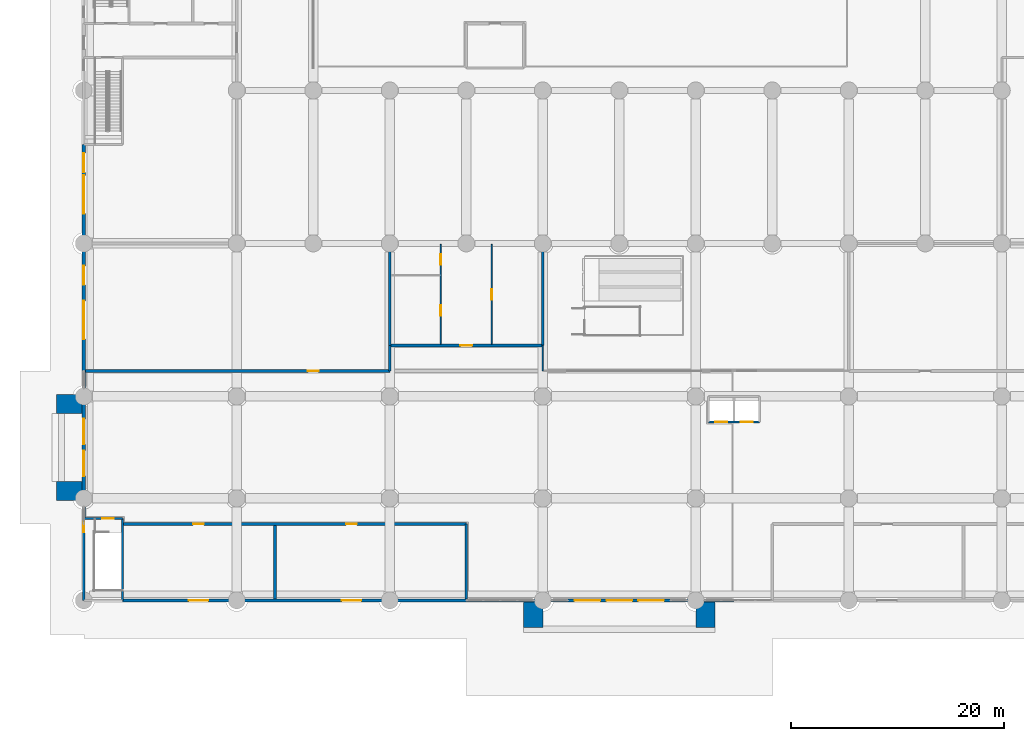
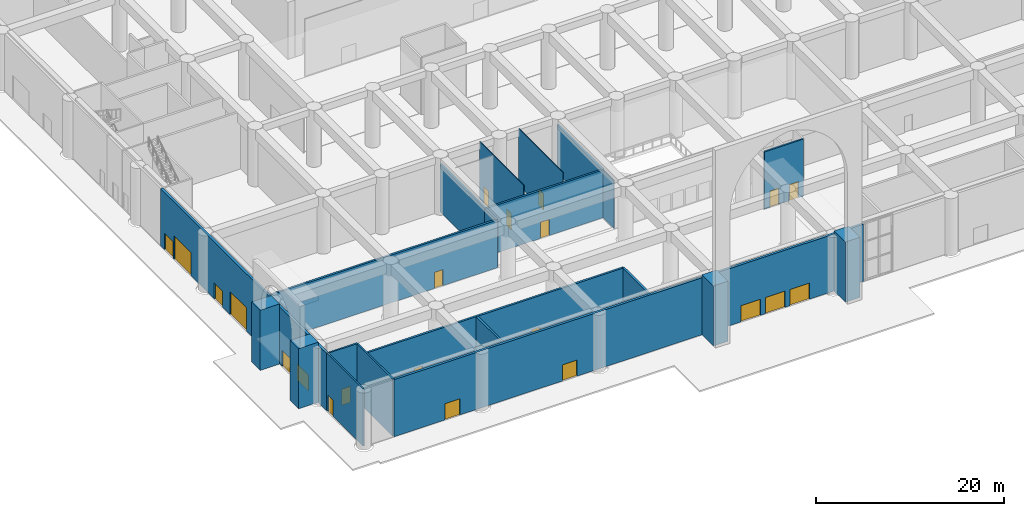
# One storey, part 13 of 32: 22 doors, 21 walls, 22 openings.
"""IFC4 building model written with IfcOpenShell, lengths in metres."""

from ifc_helpers import new_model, si_unit, direction, frame, frame_2d, origin, place, context, subcontext, project, spatial, rectangle, extrude, material, layer, layer_set, type_object, element, fill, save


model = new_model("IFC4")

# Units and contexts
model_context = context("Model", 3, precision=1e-05, world=origin(), true_north=direction((0.0, 1.0)))
body_context = subcontext(model_context, "Body", "Model", "MODEL_VIEW")
ifc_project = project(units=[si_unit("LENGTHUNIT", "METRE"), si_unit("AREAUNIT", "SQUARE_METRE"), si_unit("VOLUMEUNIT", "CUBIC_METRE"), si_unit("PLANEANGLEUNIT", "RADIAN"), si_unit("MASSUNIT", "GRAM", prefix="KILO")], contexts=[model_context])

# Site, building, storey
site_placement = place(None, origin())
site = spatial("IfcSite", under=ifc_project, at=site_placement, CompositionType="ELEMENT")
building_placement = place(site_placement, origin())
building = spatial("IfcBuilding", under=site, at=building_placement, Name="Saffron Iwan Residences", CompositionType="ELEMENT")
storey_placement = place(building_placement, origin())
storey = spatial("IfcBuildingStorey", under=building, at=storey_placement, Name="L00", CompositionType="ELEMENT", Elevation=0.0)

# Wall, openings, doors
ifc_material_1 = material(Name="Concrete C40/50", Category="concrete")
ifc_layer_1 = layer(ifc_material_1, 0.25)
ifc_layer_set_1 = layer_set([ifc_layer_1], Name="Concrete C40/50")
wall_type_1 = type_object("IfcWallType", Name="Fire compartment wall 250", PredefinedType="SOLIDWALL", material=ifc_layer_set_1)
wall_1_placement = place(storey_placement, frame((3.75, 7.199951171875, 0.0), z_axis=(0.0, 0.0, 1.0), x_axis=(1.0, 0.0, 0.0)))
wall_1 = element("IfcWall", 1, at=wall_1_placement, inside=storey, type_object=wall_type_1, Name="W-L00-005", PredefinedType="SOLIDWALL", context=body_context, shape_type="SweptSolid", body=[
    extrude(rectangle(XDim=32.25, YDim=0.25, at=frame_2d((16.125, 0.0))), origin(), (0.0, 0.0, 1.0), 6.199951171875),
])
opening_1_placement = place(wall_1_placement, frame((6.550048828125, 0.0, 0.0)))
opening_1 = element("IfcOpeningElement", 2, at=opening_1_placement, cuts=wall_1, Name="Opening L00.07", PredefinedType="OPENING", context=body_context, shape_type="SweptSolid", body=[
    extrude(rectangle(XDim=1.0, YDim=2.10009765625, at=frame_2d((0.5, 1.050048828125))), frame((0.0, 0.135009765625, 0.0), z_axis=(0.0, -1.0, 0.0), x_axis=(1.0, 0.0, 0.0)), (0.0, 0.0, 1.0), 0.27001953125),
])
opening_2_placement = place(wall_1_placement, frame((20.949951171875, 0.0, 0.0)))
opening_2 = element("IfcOpeningElement", 3, at=opening_2_placement, cuts=wall_1, Name="Opening L00.08", PredefinedType="OPENING", context=body_context, shape_type="SweptSolid", body=[
    extrude(rectangle(XDim=1.0, YDim=2.10009765625, at=frame_2d((0.5, 1.050048828125))), frame((0.0, 0.135009765625, 0.0), z_axis=(0.0, -1.0, 0.0), x_axis=(1.0, 0.0, 0.0)), (0.0, 0.0, 1.0), 0.27001953125),
])
ifc_material_2 = material(Name="Steel", Category="steel")
door_type_1 = type_object("IfcDoorType", Name="Fire door 1000x2100", OperationType="NOTDEFINED", PredefinedType="DOOR", material=ifc_material_2)
door_1_placement = place(opening_1_placement, origin())
door_1 = element("IfcDoor", 4, at=door_1_placement, inside=storey, type_object=door_type_1, Name="D-L00-007", OperationType="SINGLE_SWING_LEFT", OverallHeight=2.10009765625, OverallWidth=1.0, PredefinedType="DOOR", context=body_context, shape_type="SweptSolid", body=[
    extrude(rectangle(XDim=1.0, YDim=2.10009765625, at=frame_2d((0.5, 1.050048828125))), frame((0.0, 0.02490234375, 0.0), z_axis=(0.0, -1.0, 0.0), x_axis=(1.0, 0.0, 0.0)), (0.0, 0.0, 1.0), 0.050048828125),
])
fill(opening_1, door_1)
door_2_placement = place(opening_2_placement, origin())
door_2 = element("IfcDoor", 5, at=door_2_placement, inside=storey, type_object=door_type_1, Name="D-L00-008", OperationType="SINGLE_SWING_RIGHT", OverallHeight=2.10009765625, OverallWidth=1.0, PredefinedType="DOOR", context=body_context, shape_type="SweptSolid", body=[
    extrude(rectangle(XDim=1.0, YDim=2.10009765625, at=frame_2d((0.5, 1.050048828125))), frame((0.0, 0.02490234375, 0.0), z_axis=(0.0, -1.0, 0.0), x_axis=(1.0, 0.0, 0.0)), (0.0, 0.0, 1.0), 0.050048828125),
])
fill(opening_2, door_2)

# Wall, opening, door
wall_2_placement = place(storey_placement, frame((0.14990234375, 21.60009765625, 0.0), z_axis=(0.0, 0.0, 1.0), x_axis=(1.0, 0.0, 0.0)))
wall_2 = element("IfcWall", 6, at=wall_2_placement, inside=storey, type_object=wall_type_1, Name="W-L00-012", PredefinedType="SOLIDWALL", context=body_context, shape_type="SweptSolid", body=[
    extrude(rectangle(XDim=28.650146484375, YDim=0.25, at=frame_2d((14.3251953125, 0.0))), origin(), (0.0, 0.0, 1.0), 6.199951171875),
])
opening_3_placement = place(wall_2_placement, frame((20.949951171875, 0.0, 0.0)))
opening_3 = element("IfcOpeningElement", 7, at=opening_3_placement, cuts=wall_2, Name="Opening L00.11", PredefinedType="OPENING", context=body_context, shape_type="SweptSolid", body=[
    extrude(rectangle(XDim=1.0, YDim=2.10009765625, at=frame_2d((0.5, 1.050048828125))), frame((0.0, 0.135009765625, 0.0), z_axis=(0.0, -1.0, 0.0), x_axis=(1.0, 0.0, 0.0)), (0.0, 0.0, 1.0), 0.27001953125),
])
door_3_placement = place(opening_3_placement, origin())
door_3 = element("IfcDoor", 8, at=door_3_placement, inside=storey, type_object=door_type_1, Name="D-L00-011", OperationType="SINGLE_SWING_RIGHT", OverallHeight=2.10009765625, OverallWidth=1.0, PredefinedType="DOOR", context=body_context, shape_type="SweptSolid", body=[
    extrude(rectangle(XDim=1.0, YDim=2.10009765625, at=frame_2d((0.5, 1.050048828125))), frame((0.0, 0.02490234375, 0.0), z_axis=(0.0, -1.0, 0.0), x_axis=(1.0, 0.0, 0.0)), (0.0, 0.0, 1.0), 0.050048828125),
])
fill(opening_3, door_3)

wall_3_placement = place(storey_placement, frame((28.800048828125, 24.0, 0.0), z_axis=(0.0, 0.0, 1.0), x_axis=(1.0, 0.0, 0.0)))
wall_3 = element("IfcWall", 9, at=wall_3_placement, inside=storey, type_object=wall_type_1, Name="W-L00-014", PredefinedType="SOLIDWALL", context=body_context, shape_type="SweptSolid", body=[
    extrude(rectangle(XDim=14.39990234375, YDim=0.25, at=frame_2d((7.199951171875, 0.0))), origin(), (0.0, 0.0, 1.0), 6.199951171875),
])
opening_4_placement = place(wall_3_placement, frame((6.64990234375, 0.0, 0.0)))
opening_4 = element("IfcOpeningElement", 10, at=opening_4_placement, cuts=wall_3, Name="Opening L00.06", PredefinedType="OPENING", context=body_context, shape_type="SweptSolid", body=[
    extrude(rectangle(XDim=1.10009765625, YDim=2.10009765625, at=frame_2d((0.550048828125, 1.050048828125))), frame((0.0, 0.135009765625, 0.0), z_axis=(0.0, -1.0, 0.0), x_axis=(1.0, 0.0, 0.0)), (0.0, 0.0, 1.0), 0.27001953125),
])
door_type_2 = type_object("IfcDoorType", Name="Fire door 1100x2100", OperationType="NOTDEFINED", PredefinedType="DOOR", material=ifc_material_2)
door_4_placement = place(opening_4_placement, origin())
door_4 = element("IfcDoor", 11, at=door_4_placement, inside=storey, type_object=door_type_2, Name="D-L00-006", OperationType="SINGLE_SWING_LEFT", OverallHeight=2.10009765625, OverallWidth=1.10009765625, PredefinedType="DOOR", context=body_context, shape_type="SweptSolid", body=[
    extrude(rectangle(XDim=1.10009765625, YDim=2.10009765625, at=frame_2d((0.550048828125, 1.050048828125))), frame((0.0, 0.02490234375, 0.0), z_axis=(0.0, -1.0, 0.0), x_axis=(1.0, 0.0, 0.0)), (0.0, 0.0, 1.0), 0.050048828125),
])
fill(opening_4, door_4)

# Walls
wall_4_placement = place(storey_placement, frame((18.0, 0.14990234375, 0.0), z_axis=(0.0, 0.0, 1.0), x_axis=(0.0, 1.0, 0.0)))
element("IfcWall", 12, at=wall_4_placement, inside=storey, type_object=wall_type_1, Name="W-L00-058", PredefinedType="SOLIDWALL", context=body_context, shape_type="SweptSolid", body=[
    extrude(rectangle(XDim=6.925048828125, YDim=0.25, at=frame_2d((3.46240234375, 0.0))), origin(), (0.0, 0.0, 1.0), 6.199951171875),
])
wall_5_placement = place(storey_placement, frame((28.800048828125, 24.0, 0.0), z_axis=(0.0, 0.0, 1.0), x_axis=(0.0, 1.0, 0.0)))
element("IfcWall", 13, at=wall_5_placement, inside=storey, type_object=wall_type_1, Name="W-L00-060", PredefinedType="SOLIDWALL", context=body_context, shape_type="SweptSolid", body=[
    extrude(rectangle(XDim=9.5048828125, YDim=0.25, at=frame_2d((4.75244140625, 0.0))), origin(), (0.0, 0.0, 1.0), 6.199951171875),
])
wall_6_placement = place(storey_placement, frame((28.800048828125, 21.60009765625, 0.0), z_axis=(0.0, 0.0, 1.0), x_axis=(0.0, 1.0, 0.0)))
element("IfcWall", 14, at=wall_6_placement, inside=storey, type_object=wall_type_1, Name="W-L00-061", PredefinedType="SOLIDWALL", context=body_context, shape_type="SweptSolid", body=[
    extrude(rectangle(XDim=2.39990234375, YDim=0.25, at=frame_2d((1.199951171875, 0.0))), origin(), (0.0, 0.0, 1.0), 6.199951171875),
])
wall_7_placement = place(storey_placement, frame((36.0, 0.14990234375, 0.0), z_axis=(0.0, 0.0, 1.0), x_axis=(0.0, 1.0, 0.0)))
element("IfcWall", 15, at=wall_7_placement, inside=storey, type_object=wall_type_1, Name="W-L00-064", PredefinedType="SOLIDWALL", context=body_context, shape_type="SweptSolid", body=[
    extrude(rectangle(XDim=7.050048828125, YDim=0.25, at=frame_2d((3.52490234375, 0.0))), origin(), (0.0, 0.0, 1.0), 6.199951171875),
])
wall_8_placement = place(storey_placement, frame((43.199951171875, 24.0, 0.0), z_axis=(0.0, 0.0, 1.0), x_axis=(0.0, 1.0, 0.0)))
element("IfcWall", 16, at=wall_8_placement, inside=storey, type_object=wall_type_1, Name="W-L00-068", PredefinedType="SOLIDWALL", context=body_context, shape_type="SweptSolid", body=[
    extrude(rectangle(XDim=9.60009765625, YDim=0.25, at=frame_2d((4.800048828125, 0.0))), origin(), (0.0, 0.0, 1.0), 6.199951171875),
])

# Wall, openings, doors
ifc_material_3 = material(Name="Plasterboard")
ifc_layer_2 = layer(ifc_material_3, 0.10009765625)
ifc_layer_set_2 = layer_set([ifc_layer_2], Name="Plasterboard")
wall_type_2 = type_object("IfcWallType", Name="Plasterboard partition 100", PredefinedType="PARTITIONING", material=ifc_layer_set_2)
wall_9_placement = place(storey_placement, frame((33.60009765625, 24.125, 0.0), z_axis=(0.0, 0.0, 1.0), x_axis=(0.0, 1.0, 0.0)))
wall_9 = element("IfcWall", 17, at=wall_9_placement, inside=storey, type_object=wall_type_2, Name="W-L00-062", PredefinedType="PARTITIONING", context=body_context, shape_type="SweptSolid", body=[
    extrude(rectangle(XDim=9.3798828125, YDim=0.10009765625, at=frame_2d((4.68994140625, 0.0))), origin(), (0.0, 0.0, 1.0), 7.39990234375),
])
opening_5_placement = place(wall_9_placement, frame((2.675048828125, 0.0, 0.0)))
opening_5 = element("IfcOpeningElement", 18, at=opening_5_placement, cuts=wall_9, Name="Opening L00.03", PredefinedType="OPENING", context=body_context, shape_type="SweptSolid", body=[
    extrude(rectangle(XDim=1.0, YDim=2.10009765625, at=frame_2d((0.5, 1.050048828125))), frame((0.0, 0.06005859375, 0.0), z_axis=(0.0, -1.0, 0.0), x_axis=(1.0, 0.0, 0.0)), (0.0, 0.0, 1.0), 0.1201171875),
])
opening_6_placement = place(wall_9_placement, frame((7.47509765625, 0.0, 0.0)))
opening_6 = element("IfcOpeningElement", 19, at=opening_6_placement, cuts=wall_9, Name="Opening L00.04", PredefinedType="OPENING", context=body_context, shape_type="SweptSolid", body=[
    extrude(rectangle(XDim=1.0, YDim=2.10009765625, at=frame_2d((0.5, 1.050048828125))), frame((0.0, 0.06005859375, 0.0), z_axis=(0.0, -1.0, 0.0), x_axis=(1.0, 0.0, 0.0)), (0.0, 0.0, 1.0), 0.1201171875),
])
ifc_material_4 = material(Name="Timber", Category="wood")
door_type_3 = type_object("IfcDoorType", Name="Door 1000x2100", OperationType="NOTDEFINED", PredefinedType="DOOR", material=ifc_material_4)
door_5_placement = place(opening_5_placement, origin())
door_5 = element("IfcDoor", 20, at=door_5_placement, inside=storey, type_object=door_type_3, Name="D-L00-003", OperationType="SINGLE_SWING_LEFT", OverallHeight=2.10009765625, OverallWidth=1.0, PredefinedType="DOOR", context=body_context, shape_type="SweptSolid", body=[
    extrude(rectangle(XDim=1.0, YDim=2.10009765625, at=frame_2d((0.5, 1.050048828125))), frame((0.0, 0.02490234375, 0.0), z_axis=(0.0, -1.0, 0.0), x_axis=(1.0, 0.0, 0.0)), (0.0, 0.0, 1.0), 0.050048828125),
])
fill(opening_5, door_5)
door_6_placement = place(opening_6_placement, origin())
door_6 = element("IfcDoor", 21, at=door_6_placement, inside=storey, type_object=door_type_3, Name="D-L00-004", OperationType="SINGLE_SWING_RIGHT", OverallHeight=2.10009765625, OverallWidth=1.0, PredefinedType="DOOR", context=body_context, shape_type="SweptSolid", body=[
    extrude(rectangle(XDim=1.0, YDim=2.10009765625, at=frame_2d((0.5, 1.050048828125))), frame((0.0, 0.02490234375, 0.0), z_axis=(0.0, -1.0, 0.0), x_axis=(1.0, 0.0, 0.0)), (0.0, 0.0, 1.0), 0.050048828125),
])
fill(opening_6, door_6)

# Wall, opening, door
wall_10_placement = place(storey_placement, frame((38.39990234375, 24.125, 0.0), z_axis=(0.0, 0.0, 1.0), x_axis=(0.0, 1.0, 0.0)))
wall_10 = element("IfcWall", 22, at=wall_10_placement, inside=storey, type_object=wall_type_2, Name="W-L00-065", PredefinedType="PARTITIONING", context=body_context, shape_type="SweptSolid", body=[
    extrude(rectangle(XDim=9.3798828125, YDim=0.10009765625, at=frame_2d((4.68994140625, 0.0))), origin(), (0.0, 0.0, 1.0), 7.39990234375),
])
opening_7_placement = place(wall_10_placement, frame((4.175048828125, 0.0, 0.0)))
opening_7 = element("IfcOpeningElement", 23, at=opening_7_placement, cuts=wall_10, Name="Opening L00.05", PredefinedType="OPENING", context=body_context, shape_type="SweptSolid", body=[
    extrude(rectangle(XDim=1.0, YDim=2.10009765625, at=frame_2d((0.5, 1.050048828125))), frame((0.0, 0.06005859375, 0.0), z_axis=(0.0, -1.0, 0.0), x_axis=(1.0, 0.0, 0.0)), (0.0, 0.0, 1.0), 0.1201171875),
])
door_7_placement = place(opening_7_placement, origin())
door_7 = element("IfcDoor", 24, at=door_7_placement, inside=storey, type_object=door_type_3, Name="D-L00-005", OperationType="SINGLE_SWING_LEFT", OverallHeight=2.10009765625, OverallWidth=1.0, PredefinedType="DOOR", context=body_context, shape_type="SweptSolid", body=[
    extrude(rectangle(XDim=1.0, YDim=2.10009765625, at=frame_2d((0.5, 1.050048828125))), frame((0.0, 0.02490234375, 0.0), z_axis=(0.0, -1.0, 0.0), x_axis=(1.0, 0.0, 0.0)), (0.0, 0.0, 1.0), 0.050048828125),
])
fill(opening_7, door_7)

# Wall
wall_11_placement = place(storey_placement, frame((43.199951171875, 21.60009765625, 0.0), z_axis=(0.0, 0.0, 1.0), x_axis=(0.0, 1.0, 0.0)))
element("IfcWall", 25, at=wall_11_placement, inside=storey, type_object=wall_type_2, Name="W-L00-067", PredefinedType="PARTITIONING", context=body_context, shape_type="SweptSolid", body=[
    extrude(rectangle(XDim=2.39990234375, YDim=0.10009765625, at=frame_2d((1.199951171875, 0.0))), origin(), (0.0, 0.0, 1.0), 6.199951171875),
])

# Wall, openings, doors
ifc_material_5 = material(Name="Precast concrete C40/50", Category="concrete")
ifc_layer_3 = layer(ifc_material_5, 0.300048828125)
ifc_layer_set_3 = layer_set([ifc_layer_3], Name="Precast concrete C40/50")
wall_type_3 = type_object("IfcWallType", Name="Podium external wall 300", PredefinedType="SOLIDWALL", material=ifc_layer_set_3)
wall_12_placement = place(storey_placement, frame((61.199951171875, 0.0, 0.0), z_axis=(0.0, 0.0, 1.0), x_axis=(-1.0, 0.0, 0.0)))
wall_12 = element("IfcWall", 26, at=wall_12_placement, inside=storey, type_object=wall_type_3, Name="W-L00-001", PredefinedType="SOLIDWALL", context=body_context, shape_type="SweptSolid", body=[
    extrude(rectangle(XDim=57.550048828125, YDim=0.300048828125, at=frame_2d((28.77490234375, 0.0))), origin(), (0.0, 0.0, 1.0), 7.39990234375),
])
opening_8_placement = place(wall_12_placement, frame((49.5, 0.0, 0.0)))
opening_8 = element("IfcOpeningElement", 27, at=opening_8_placement, cuts=wall_12, Name="Opening L00.39", PredefinedType="OPENING", context=body_context, shape_type="SweptSolid", body=[
    extrude(rectangle(XDim=1.800048828125, YDim=2.10009765625, at=frame_2d((0.89990234375, 1.050048828125))), frame((0.0, 0.16015625, 0.0), z_axis=(0.0, -1.0, 0.0), x_axis=(1.0, 0.0, 0.0)), (0.0, 0.0, 1.0), 0.320068359375),
])
opening_9_placement = place(wall_12_placement, frame((35.10009765625, 0.0, 0.0)))
opening_9 = element("IfcOpeningElement", 28, at=opening_9_placement, cuts=wall_12, Name="Opening L00.40", PredefinedType="OPENING", context=body_context, shape_type="SweptSolid", body=[
    extrude(rectangle(XDim=1.800048828125, YDim=2.10009765625, at=frame_2d((0.89990234375, 1.050048828125))), frame((0.0, 0.16015625, 0.0), z_axis=(0.0, -1.0, 0.0), x_axis=(1.0, 0.0, 0.0)), (0.0, 0.0, 1.0), 0.320068359375),
])
opening_10_placement = place(wall_12_placement, frame((12.60009765625, 0.0, 0.0)))
opening_10 = element("IfcOpeningElement", 29, at=opening_10_placement, cuts=wall_12, Name="Opening L00.47", PredefinedType="OPENING", context=body_context, shape_type="SweptSolid", body=[
    extrude(rectangle(XDim=2.39990234375, YDim=2.10009765625, at=frame_2d((1.199951171875, 1.050048828125))), frame((0.0, 0.16015625, 0.0), z_axis=(0.0, -1.0, 0.0), x_axis=(1.0, 0.0, 0.0)), (0.0, 0.0, 1.0), 0.320068359375),
])
opening_11_placement = place(wall_12_placement, frame((9.60009765625, 0.0, 0.0)))
opening_11 = element("IfcOpeningElement", 30, at=opening_11_placement, cuts=wall_12, Name="Opening L00.48", PredefinedType="OPENING", context=body_context, shape_type="SweptSolid", body=[
    extrude(rectangle(XDim=2.39990234375, YDim=2.10009765625, at=frame_2d((1.199951171875, 1.050048828125))), frame((0.0, 0.16015625, 0.0), z_axis=(0.0, -1.0, 0.0), x_axis=(1.0, 0.0, 0.0)), (0.0, 0.0, 1.0), 0.320068359375),
])
opening_12_placement = place(wall_12_placement, frame((6.60009765625, 0.0, 0.0)))
opening_12 = element("IfcOpeningElement", 31, at=opening_12_placement, cuts=wall_12, Name="Opening L00.49", PredefinedType="OPENING", context=body_context, shape_type="SweptSolid", body=[
    extrude(rectangle(XDim=2.39990234375, YDim=2.10009765625, at=frame_2d((1.199951171875, 1.050048828125))), frame((0.0, 0.16015625, 0.0), z_axis=(0.0, -1.0, 0.0), x_axis=(1.0, 0.0, 0.0)), (0.0, 0.0, 1.0), 0.320068359375),
])
ifc_material_6 = material(Name="Glass", Category="glass")
door_type_4 = type_object("IfcDoorType", Name="Glazed entrance door 1800", OperationType="DOUBLE_DOOR_SINGLE_SWING", PredefinedType="DOOR", material=ifc_material_6)
door_8_placement = place(opening_8_placement, origin())
door_8 = element("IfcDoor", 32, at=door_8_placement, inside=storey, type_object=door_type_4, Name="D-L00-039", OperationType="DOUBLE_DOOR_SINGLE_SWING", OverallHeight=2.10009765625, OverallWidth=1.800048828125, PredefinedType="DOOR", context=body_context, shape_type="SweptSolid", body=[
    extrude(rectangle(XDim=1.800048828125, YDim=2.10009765625, at=frame_2d((0.89990234375, 1.050048828125))), frame((0.0, 0.02490234375, 0.0), z_axis=(0.0, -1.0, 0.0), x_axis=(1.0, 0.0, 0.0)), (0.0, 0.0, 1.0), 0.050048828125),
])
fill(opening_8, door_8)
door_9_placement = place(opening_9_placement, origin())
door_9 = element("IfcDoor", 33, at=door_9_placement, inside=storey, type_object=door_type_4, Name="D-L00-040", OperationType="DOUBLE_DOOR_SINGLE_SWING", OverallHeight=2.10009765625, OverallWidth=1.800048828125, PredefinedType="DOOR", context=body_context, shape_type="SweptSolid", body=[
    extrude(rectangle(XDim=1.800048828125, YDim=2.10009765625, at=frame_2d((0.89990234375, 1.050048828125))), frame((0.0, 0.02490234375, 0.0), z_axis=(0.0, -1.0, 0.0), x_axis=(1.0, 0.0, 0.0)), (0.0, 0.0, 1.0), 0.050048828125),
])
fill(opening_9, door_9)
door_type_5 = type_object("IfcDoorType", Name="Glazed entrance door 2400", OperationType="DOUBLE_DOOR_SINGLE_SWING", PredefinedType="DOOR", material=ifc_material_6)
door_10_placement = place(opening_10_placement, origin())
door_10 = element("IfcDoor", 34, at=door_10_placement, inside=storey, type_object=door_type_5, Name="D-L00-047", OperationType="DOUBLE_DOOR_SINGLE_SWING", OverallHeight=2.10009765625, OverallWidth=2.39990234375, PredefinedType="DOOR", context=body_context, shape_type="SweptSolid", body=[
    extrude(rectangle(XDim=2.39990234375, YDim=2.10009765625, at=frame_2d((1.199951171875, 1.050048828125))), frame((0.0, 0.02490234375, 0.0), z_axis=(0.0, -1.0, 0.0), x_axis=(1.0, 0.0, 0.0)), (0.0, 0.0, 1.0), 0.050048828125),
])
fill(opening_10, door_10)
door_11_placement = place(opening_11_placement, origin())
door_11 = element("IfcDoor", 35, at=door_11_placement, inside=storey, type_object=door_type_5, Name="D-L00-048", OperationType="DOUBLE_DOOR_SINGLE_SWING", OverallHeight=2.10009765625, OverallWidth=2.39990234375, PredefinedType="DOOR", context=body_context, shape_type="SweptSolid", body=[
    extrude(rectangle(XDim=2.39990234375, YDim=2.10009765625, at=frame_2d((1.199951171875, 1.050048828125))), frame((0.0, 0.02490234375, 0.0), z_axis=(0.0, -1.0, 0.0), x_axis=(1.0, 0.0, 0.0)), (0.0, 0.0, 1.0), 0.050048828125),
])
fill(opening_11, door_11)
door_12_placement = place(opening_12_placement, origin())
door_12 = element("IfcDoor", 36, at=door_12_placement, inside=storey, type_object=door_type_5, Name="D-L00-049", OperationType="DOUBLE_DOOR_SINGLE_SWING", OverallHeight=2.10009765625, OverallWidth=2.39990234375, PredefinedType="DOOR", context=body_context, shape_type="SweptSolid", body=[
    extrude(rectangle(XDim=2.39990234375, YDim=2.10009765625, at=frame_2d((1.199951171875, 1.050048828125))), frame((0.0, 0.02490234375, 0.0), z_axis=(0.0, -1.0, 0.0), x_axis=(1.0, 0.0, 0.0)), (0.0, 0.0, 1.0), 0.050048828125),
])
fill(opening_12, door_12)

wall_13_placement = place(storey_placement, frame((0.0, 7.699951171875, 0.0), z_axis=(0.0, 0.0, 1.0), x_axis=(0.0, 1.0, 0.0)))
wall_13 = element("IfcWall", 37, at=wall_13_placement, inside=storey, type_object=wall_type_3, Name="W-L00-044", PredefinedType="SOLIDWALL", context=body_context, shape_type="SweptSolid", body=[
    extrude(rectangle(XDim=35.199951171875, YDim=0.300048828125, at=frame_2d((17.60009765625, 0.0))), origin(), (0.0, 0.0, 1.0), 7.39990234375),
])
opening_13_placement = place(wall_13_placement, frame((16.89990234375, 0.0, 0.0)))
opening_13 = element("IfcOpeningElement", 38, at=opening_13_placement, cuts=wall_13, Name="Opening L00.43", PredefinedType="OPENING", context=body_context, shape_type="SweptSolid", body=[
    extrude(rectangle(XDim=3.60009765625, YDim=3.0, at=frame_2d((1.800048828125, 1.5))), frame((0.0, 0.16015625, 0.0), z_axis=(0.0, -1.0, 0.0), x_axis=(1.0, 0.0, 0.0)), (0.0, 0.0, 1.0), 0.320068359375),
])
opening_14_placement = place(wall_13_placement, frame((22.0, 0.0, 0.0)))
opening_14 = element("IfcOpeningElement", 39, at=opening_14_placement, cuts=wall_13, Name="Opening L00.44", PredefinedType="OPENING", context=body_context, shape_type="SweptSolid", body=[
    extrude(rectangle(XDim=1.800048828125, YDim=2.10009765625, at=frame_2d((0.89990234375, 1.050048828125))), frame((0.0, 0.16015625, 0.0), z_axis=(0.0, -1.0, 0.0), x_axis=(1.0, 0.0, 0.0)), (0.0, 0.0, 1.0), 0.320068359375),
])
opening_15_placement = place(wall_13_placement, frame((4.0, 0.0, 0.0)))
opening_15 = element("IfcOpeningElement", 40, at=opening_15_placement, cuts=wall_13, Name="Opening L00.50", PredefinedType="OPENING", context=body_context, shape_type="SweptSolid", body=[
    extrude(rectangle(XDim=2.39990234375, YDim=2.10009765625, at=frame_2d((1.199951171875, 1.050048828125))), frame((0.0, 0.16015625, 0.0), z_axis=(0.0, -1.0, 0.0), x_axis=(1.0, 0.0, 0.0)), (0.0, 0.0, 1.0), 0.320068359375),
])
opening_16_placement = place(wall_13_placement, frame((7.0, 0.0, 0.0)))
opening_16 = element("IfcOpeningElement", 41, at=opening_16_placement, cuts=wall_13, Name="Opening L00.52", PredefinedType="OPENING", context=body_context, shape_type="SweptSolid", body=[
    extrude(rectangle(XDim=2.39990234375, YDim=2.10009765625, at=frame_2d((1.199951171875, 1.050048828125))), frame((0.0, 0.16015625, 0.0), z_axis=(0.0, -1.0, 0.0), x_axis=(1.0, 0.0, 0.0)), (0.0, 0.0, 1.0), 0.320068359375),
])
opening_17_placement = place(wall_13_placement, frame((28.699951171875, 0.0, 0.0)))
opening_17 = element("IfcOpeningElement", 42, at=opening_17_placement, cuts=wall_13, Name="Opening L00.54", PredefinedType="OPENING", context=body_context, shape_type="SweptSolid", body=[
    extrude(rectangle(XDim=3.60009765625, YDim=3.0, at=frame_2d((1.800048828125, 1.5))), frame((0.0, 0.16015625, 0.0), z_axis=(0.0, -1.0, 0.0), x_axis=(1.0, 0.0, 0.0)), (0.0, 0.0, 1.0), 0.320068359375),
])
opening_18_placement = place(wall_13_placement, frame((32.60009765625, 0.0, 0.0)))
opening_18 = element("IfcOpeningElement", 43, at=opening_18_placement, cuts=wall_13, Name="Opening L00.55", PredefinedType="OPENING", context=body_context, shape_type="SweptSolid", body=[
    extrude(rectangle(XDim=1.800048828125, YDim=2.10009765625, at=frame_2d((0.89990234375, 1.050048828125))), frame((0.0, 0.16015625, 0.0), z_axis=(0.0, -1.0, 0.0), x_axis=(1.0, 0.0, 0.0)), (0.0, 0.0, 1.0), 0.320068359375),
])
door_13_placement = place(opening_14_placement, origin())
door_13 = element("IfcDoor", 44, at=door_13_placement, inside=storey, type_object=door_type_4, Name="D-L00-044", OperationType="DOUBLE_DOOR_SINGLE_SWING", OverallHeight=2.10009765625, OverallWidth=1.800048828125, PredefinedType="DOOR", context=body_context, shape_type="SweptSolid", body=[
    extrude(rectangle(XDim=1.800048828125, YDim=2.10009765625, at=frame_2d((0.89990234375, 1.050048828125))), frame((0.0, 0.02490234375, 0.0), z_axis=(0.0, -1.0, 0.0), x_axis=(1.0, 0.0, 0.0)), (0.0, 0.0, 1.0), 0.050048828125),
])
fill(opening_14, door_13)
door_14_placement = place(opening_18_placement, origin())
door_14 = element("IfcDoor", 45, at=door_14_placement, inside=storey, type_object=door_type_4, Name="D-L00-055", OperationType="DOUBLE_DOOR_SINGLE_SWING", OverallHeight=2.10009765625, OverallWidth=1.800048828125, PredefinedType="DOOR", context=body_context, shape_type="SweptSolid", body=[
    extrude(rectangle(XDim=1.800048828125, YDim=2.10009765625, at=frame_2d((0.89990234375, 1.050048828125))), frame((0.0, 0.02490234375, 0.0), z_axis=(0.0, -1.0, 0.0), x_axis=(1.0, 0.0, 0.0)), (0.0, 0.0, 1.0), 0.050048828125),
])
fill(opening_18, door_14)
door_15_placement = place(opening_15_placement, origin())
door_15 = element("IfcDoor", 46, at=door_15_placement, inside=storey, type_object=door_type_5, Name="D-L00-050", OperationType="DOUBLE_DOOR_SINGLE_SWING", OverallHeight=2.10009765625, OverallWidth=2.39990234375, PredefinedType="DOOR", context=body_context, shape_type="SweptSolid", body=[
    extrude(rectangle(XDim=2.39990234375, YDim=2.10009765625, at=frame_2d((1.199951171875, 1.050048828125))), frame((0.0, 0.02490234375, 0.0), z_axis=(0.0, -1.0, 0.0), x_axis=(1.0, 0.0, 0.0)), (0.0, 0.0, 1.0), 0.050048828125),
])
fill(opening_15, door_15)
door_16_placement = place(opening_16_placement, origin())
door_16 = element("IfcDoor", 47, at=door_16_placement, inside=storey, type_object=door_type_5, Name="D-L00-052", OperationType="DOUBLE_DOOR_SINGLE_SWING", OverallHeight=2.10009765625, OverallWidth=2.39990234375, PredefinedType="DOOR", context=body_context, shape_type="SweptSolid", body=[
    extrude(rectangle(XDim=2.39990234375, YDim=2.10009765625, at=frame_2d((1.199951171875, 1.050048828125))), frame((0.0, 0.02490234375, 0.0), z_axis=(0.0, -1.0, 0.0), x_axis=(1.0, 0.0, 0.0)), (0.0, 0.0, 1.0), 0.050048828125),
])
fill(opening_16, door_16)
door_type_6 = type_object("IfcDoorType", Name="Roller shutter 3600x3000", OperationType="ROLLINGUP", PredefinedType="DOOR", material=ifc_material_2)
door_17_placement = place(opening_13_placement, origin())
door_17 = element("IfcDoor", 48, at=door_17_placement, inside=storey, type_object=door_type_6, Name="D-L00-043", OperationType="SINGLE_SWING_RIGHT", OverallHeight=3.0, OverallWidth=3.60009765625, PredefinedType="DOOR", context=body_context, shape_type="SweptSolid", body=[
    extrude(rectangle(XDim=3.60009765625, YDim=3.0, at=frame_2d((1.800048828125, 1.5))), frame((0.0, 0.02490234375, 0.0), z_axis=(0.0, -1.0, 0.0), x_axis=(1.0, 0.0, 0.0)), (0.0, 0.0, 1.0), 0.050048828125),
])
fill(opening_13, door_17)
door_18_placement = place(opening_17_placement, origin())
door_18 = element("IfcDoor", 49, at=door_18_placement, inside=storey, type_object=door_type_6, Name="D-L00-054", OperationType="SINGLE_SWING_RIGHT", OverallHeight=3.0, OverallWidth=3.60009765625, PredefinedType="DOOR", context=body_context, shape_type="SweptSolid", body=[
    extrude(rectangle(XDim=3.60009765625, YDim=3.0, at=frame_2d((1.800048828125, 1.5))), frame((0.0, 0.02490234375, 0.0), z_axis=(0.0, -1.0, 0.0), x_axis=(1.0, 0.0, 0.0)), (0.0, 0.0, 1.0), 0.050048828125),
])
fill(opening_17, door_18)

# Walls
ifc_material_7 = material(Name="Terracotta coloured precast concrete C40/50", Category="masonry")
ifc_layer_4 = layer(ifc_material_7, 1.800048828125)
ifc_layer_set_4 = layer_set([ifc_layer_4], Name="Terracotta coloured precast concrete C40/50")
wall_type_4 = type_object("IfcWallType", Name="Portal pier, precast concrete 1800", PredefinedType="SOLIDWALL", material=ifc_layer_set_4)
for number, where, z_axis, x_axis, name in (
    (50, (42.300048828125, -2.550048828125, 0.0), (0.0, 0.0, 1.0), (0.0, 1.0, 0.0), "Portal pier W L00"),
    (51, (58.5, -2.550048828125, 0.0), (0.0, 0.0, 1.0), (0.0, 1.0, 0.0), "Portal pier E L00"),
    (52, (-2.550048828125, 10.300048828125, 0.0), (0.0, 0.0, 1.0), (1.0, 0.0, 0.0), "Portal pier W end S L00"),
    (53, (-2.550048828125, 18.5, 0.0), (0.0, 0.0, 1.0), (1.0, 0.0, 0.0), "Portal pier W end N L00"),
):
    element("IfcWall", number, at=place(storey_placement, frame(where, z_axis=z_axis, x_axis=x_axis)), inside=storey, type_object=wall_type_4, Name=name, PredefinedType="SOLIDWALL", context=body_context, shape_type="SweptSolid", body=[
        extrude(rectangle(XDim=2.400146484375, YDim=1.800048828125, at=frame_2d((1.2001953125, 0.0))), origin(), (0.0, 0.0, 1.0), 7.800048828125),
    ])

# Wall, opening, door
ifc_layer_5 = layer(ifc_material_1, 0.199951171875)
ifc_layer_set_5 = layer_set([ifc_layer_5], Name="Concrete C40/50")
wall_type_5 = type_object("IfcWallType", Name="Reinforced concrete stair wall 200", PredefinedType="SOLIDWALL", material=ifc_layer_set_5)
wall_14_placement = place(storey_placement, frame((0.0, 7.699951171875, 0.0), z_axis=(0.0, 0.0, 1.0), x_axis=(1.0, 0.0, 0.0)))
wall_14 = element("IfcWall", 54, at=wall_14_placement, inside=storey, type_object=wall_type_5, Name="W-L00-007", PredefinedType="SOLIDWALL", context=body_context, shape_type="SweptSolid", body=[
    extrude(rectangle(XDim=3.64990234375, YDim=0.199951171875, at=frame_2d((1.824951171875, 0.0))), origin(), (0.0, 0.0, 1.0), 7.39990234375),
])
opening_19_placement = place(wall_14_placement, frame((1.72509765625, 0.0, 0.0)))
opening_19 = element("IfcOpeningElement", 55, at=opening_19_placement, cuts=wall_14, Name="Opening L00.33", PredefinedType="OPENING", context=body_context, shape_type="SweptSolid", body=[
    extrude(rectangle(XDim=1.10009765625, YDim=2.10009765625, at=frame_2d((0.550048828125, 1.050048828125))), frame((0.0, 0.10986328125, 0.0), z_axis=(0.0, -1.0, 0.0), x_axis=(1.0, 0.0, 0.0)), (0.0, 0.0, 1.0), 0.219970703125),
])
door_19_placement = place(opening_19_placement, origin())
door_19 = element("IfcDoor", 56, at=door_19_placement, inside=storey, type_object=door_type_2, Name="D-L00-033", OperationType="SINGLE_SWING_RIGHT", OverallHeight=2.10009765625, OverallWidth=1.10009765625, PredefinedType="DOOR", context=body_context, shape_type="SweptSolid", body=[
    extrude(rectangle(XDim=1.10009765625, YDim=2.10009765625, at=frame_2d((0.550048828125, 1.050048828125))), frame((0.0, 0.02490234375, 0.0), z_axis=(0.0, -1.0, 0.0), x_axis=(1.0, 0.0, 0.0)), (0.0, 0.0, 1.0), 0.050048828125),
])
fill(opening_19, door_19)

# Wall, openings, doors
wall_15_placement = place(storey_placement, frame((58.800048828125, 16.800048828125, 0.0), z_axis=(0.0, 0.0, 1.0), x_axis=(1.0, 0.0, 0.0)))
wall_15 = element("IfcWall", 57, at=wall_15_placement, inside=storey, type_object=wall_type_5, Name="W-L00-009", PredefinedType="SOLIDWALL", context=body_context, shape_type="SweptSolid", body=[
    extrude(rectangle(XDim=4.800048828125, YDim=0.199951171875, at=frame_2d((2.39990234375, 0.0))), origin(), (0.0, 0.0, 1.0), 7.39990234375),
])
opening_20_placement = place(wall_15_placement, frame((0.64990234375, 0.0, 0.0)))
opening_20 = element("IfcOpeningElement", 58, at=opening_20_placement, cuts=wall_15, Name="Opening SLD", PredefinedType="OPENING", context=body_context, shape_type="SweptSolid", body=[
    extrude(rectangle(XDim=1.10009765625, YDim=2.10009765625, at=frame_2d((0.550048828125, 1.050048828125))), frame((0.0, 0.10986328125, 0.0), z_axis=(0.0, -1.0, 0.0), x_axis=(1.0, 0.0, 0.0)), (0.0, 0.0, 1.0), 0.219970703125),
])
opening_21_placement = place(wall_15_placement, frame((3.050048828125, 0.0, 0.0)))
opening_21 = element("IfcOpeningElement", 59, at=opening_21_placement, cuts=wall_15, Name="Opening SLD", PredefinedType="OPENING", context=body_context, shape_type="SweptSolid", body=[
    extrude(rectangle(XDim=1.10009765625, YDim=2.10009765625, at=frame_2d((0.550048828125, 1.050048828125))), frame((0.0, 0.10986328125, 0.0), z_axis=(0.0, -1.0, 0.0), x_axis=(1.0, 0.0, 0.0)), (0.0, 0.0, 1.0), 0.219970703125),
])
ifc_material_8 = material(Name="Stainless steel", Category="steel")
door_type_7 = type_object("IfcDoorType", Name="Station lift landing door 1100", OperationType="SLIDING_TO_LEFT", PredefinedType="DOOR", material=ifc_material_8)
door_20_placement = place(opening_20_placement, origin())
door_20 = element("IfcDoor", 60, at=door_20_placement, inside=storey, type_object=door_type_7, Name="D-L00-001", OperationType="SLIDING_TO_LEFT", OverallHeight=2.10009765625, OverallWidth=1.10009765625, PredefinedType="DOOR", context=body_context, shape_type="SweptSolid", body=[
    extrude(rectangle(XDim=1.10009765625, YDim=2.10009765625, at=frame_2d((0.550048828125, 1.050048828125))), frame((0.0, 0.02490234375, 0.0), z_axis=(0.0, -1.0, 0.0), x_axis=(1.0, 0.0, 0.0)), (0.0, 0.0, 1.0), 0.050048828125),
])
fill(opening_20, door_20)
door_21_placement = place(opening_21_placement, origin())
door_21 = element("IfcDoor", 61, at=door_21_placement, inside=storey, type_object=door_type_7, Name="D-L00-002", OperationType="SLIDING_TO_LEFT", OverallHeight=2.10009765625, OverallWidth=1.10009765625, PredefinedType="DOOR", context=body_context, shape_type="SweptSolid", body=[
    extrude(rectangle(XDim=1.10009765625, YDim=2.10009765625, at=frame_2d((0.550048828125, 1.050048828125))), frame((0.0, 0.02490234375, 0.0), z_axis=(0.0, -1.0, 0.0), x_axis=(1.0, 0.0, 0.0)), (0.0, 0.0, 1.0), 0.050048828125),
])
fill(opening_21, door_21)

# Wall, opening, door
wall_16_placement = place(storey_placement, frame((0.0, 0.0, 0.0), z_axis=(0.0, 0.0, 1.0), x_axis=(0.0, 1.0, 0.0)))
wall_16 = element("IfcWall", 62, at=wall_16_placement, inside=storey, type_object=wall_type_5, Name="W-L00-047", PredefinedType="SOLIDWALL", context=body_context, shape_type="SweptSolid", body=[
    extrude(rectangle(XDim=7.699951171875, YDim=0.199951171875, at=frame_2d((3.85009765625, 0.0))), origin(), (0.0, 0.0, 1.0), 7.39990234375),
])
opening_22_placement = place(wall_16_placement, frame((6.39990234375, 0.0, 0.0)))
opening_22 = element("IfcOpeningElement", 63, at=opening_22_placement, cuts=wall_16, Name="Opening L00.65", PredefinedType="OPENING", context=body_context, shape_type="SweptSolid", body=[
    extrude(rectangle(XDim=1.0, YDim=2.10009765625, at=frame_2d((0.5, 1.050048828125))), frame((0.0, 0.10986328125, 0.0), z_axis=(0.0, -1.0, 0.0), x_axis=(1.0, 0.0, 0.0)), (0.0, 0.0, 1.0), 0.219970703125),
])
door_22_placement = place(opening_22_placement, origin())
door_22 = element("IfcDoor", 64, at=door_22_placement, inside=storey, type_object=door_type_1, Name="D-L00-065", OperationType="SINGLE_SWING_RIGHT", OverallHeight=2.10009765625, OverallWidth=1.0, PredefinedType="DOOR", context=body_context, shape_type="SweptSolid", body=[
    extrude(rectangle(XDim=1.0, YDim=2.10009765625, at=frame_2d((0.5, 1.050048828125))), frame((0.0, 0.02490234375, 0.0), z_axis=(0.0, -1.0, 0.0), x_axis=(1.0, 0.0, 0.0)), (0.0, 0.0, 1.0), 0.050048828125),
])
fill(opening_22, door_22)

# Wall
wall_17_placement = place(storey_placement, frame((3.64990234375, 0.0, 0.0), z_axis=(0.0, 0.0, 1.0), x_axis=(0.0, 1.0, 0.0)))
element("IfcWall", 65, at=wall_17_placement, inside=storey, type_object=wall_type_5, Name="W-L00-050", PredefinedType="SOLIDWALL", context=body_context, shape_type="SweptSolid", body=[
    extrude(rectangle(XDim=7.699951171875, YDim=0.199951171875, at=frame_2d((3.85009765625, 0.0))), origin(), (0.0, 0.0, 1.0), 7.39990234375),
])

save(model, "model.ifc")
